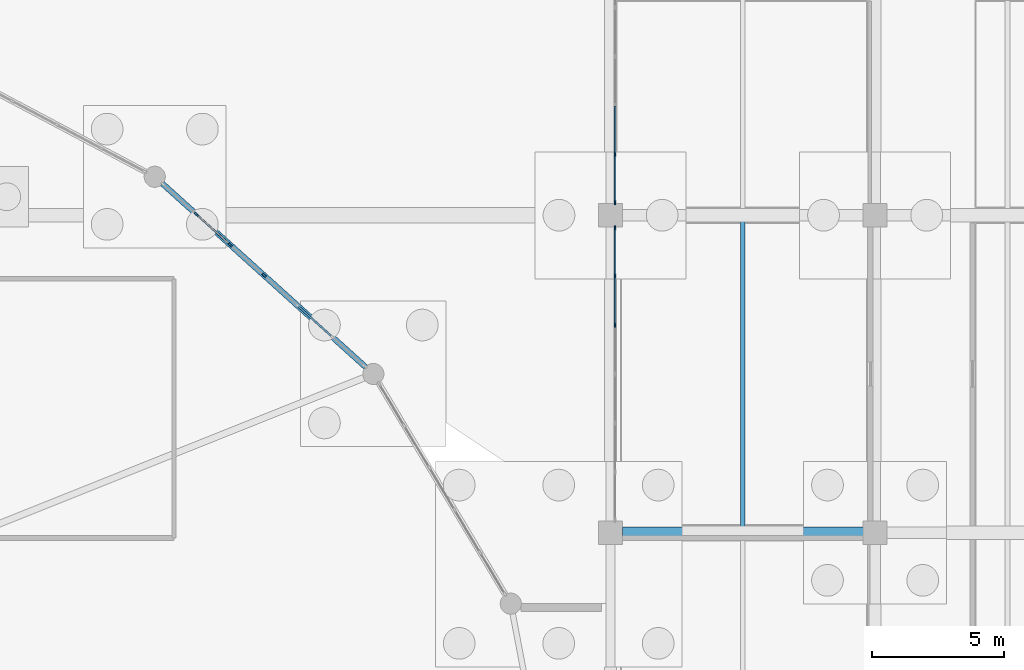
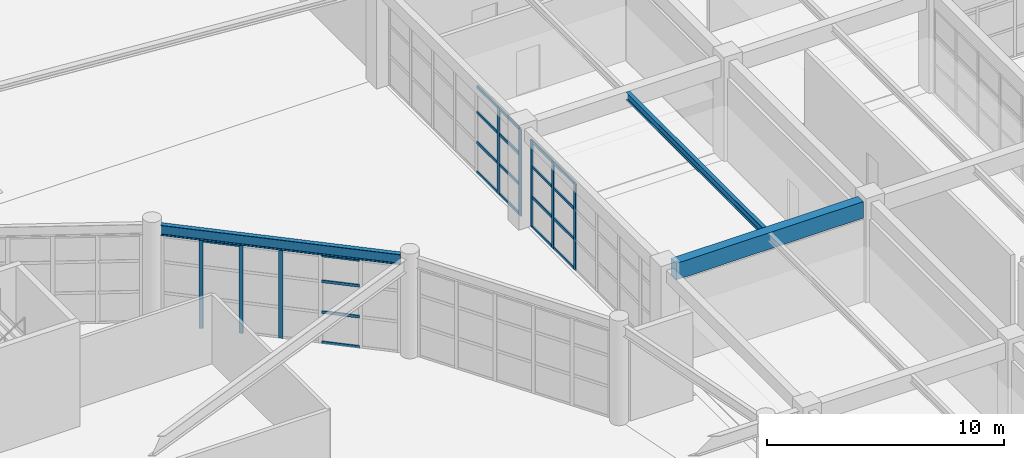
# One storey, part 50 of 99: 29 members, 3 beams, 3 elements without a shape of their own.
"""IFC4 building model written with IfcOpenShell, lengths in metres."""

import ifcopenshell
import ifcopenshell.guid

model = None  # the IFC model being written
_history = None  # IfcOwnerHistory: only IFC2X3 demands one
_inside = {}  # id of a spatial element -> (the spatial element, [elements in it])
_under = {}  # id of a project, library or spatial element -> (it, [spatial elements below it])
_declared = {}  # id of a project -> (the project, [libraries it declares])
_typed = {}  # id of a type object -> (the type object, [elements of that type])
_made_of = {}  # id of a material, layer set ... -> (it, [elements and type objects made of it])


def new_model(schema):
    """Start an empty IFC model of exactly this schema.

    Asked for "IFC4X3", IfcOpenShell would pick the latest addendum, in which some entities
    have other attributes; the version numbers below select the first issue.
    IFC2X3 requires an IfcOwnerHistory on every rooted entity: one is made here for all.
    """
    global model, _history
    if schema == "IFC4X3":
        model = ifcopenshell.file(schema_version=(4, 3, 0, 0))
    else:
        model = ifcopenshell.file(schema=schema)
    _inside.clear()
    _under.clear()
    _declared.clear()
    _typed.clear()
    _made_of.clear()
    _history = None
    if model.schema == "IFC2X3":
        org = make("IfcOrganization", Name="unknown")
        user = make(
            "IfcPersonAndOrganization",
            ThePerson=make("IfcPerson", FamilyName="unknown"),
            TheOrganization=org,
        )
        app = make(
            "IfcApplication",
            ApplicationDeveloper=org,
            Version="unknown",
            ApplicationFullName="unknown",
            ApplicationIdentifier="unknown",
        )
        _history = make(
            "IfcOwnerHistory",
            OwningUser=user,
            OwningApplication=app,
            ChangeAction="ADDED",
            CreationDate=0,
        )
    return model


def make(cls, **values):
    """One entity of the class cls with the attributes given. An attribute that is None is left unset."""
    return model.create_entity(
        cls, **{name: value for name, value in values.items() if value is not None}
    )


def rooted(cls, **values):
    """An entity with a GlobalId (a new one), such as an element, a storey or a relation."""
    return make(cls, GlobalId=ifcopenshell.guid.new(), OwnerHistory=_history, **values)


def si_unit(unit_type, name, prefix=None):
    """IfcSIUnit, for example si_unit("LENGTHUNIT", "METRE", prefix="MILLI")."""
    return make("IfcSIUnit", UnitType=unit_type, Prefix=prefix, Name=name)


def assignment(units):
    """IfcUnitAssignment: the units of a project."""
    return None if units is None else make("IfcUnitAssignment", Units=units)


def point(xyz):
    """IfcCartesianPoint."""
    return None if xyz is None else make("IfcCartesianPoint", Coordinates=xyz)


def direction(xyz):
    """IfcDirection."""
    return None if xyz is None else make("IfcDirection", DirectionRatios=xyz)


def frame(location, z_axis=None, x_axis=None):
    """IfcAxis2Placement3D, a coordinate frame: its origin and axes. An axis left out is left unset."""
    return make(
        "IfcAxis2Placement3D",
        Location=point(location),
        Axis=direction(z_axis),
        RefDirection=direction(x_axis),
    )


def frame_2d(location, x_axis=None):
    """IfcAxis2Placement2D, a coordinate frame in the plane: its origin and x axis."""
    return make(
        "IfcAxis2Placement2D", Location=point(location), RefDirection=direction(x_axis)
    )


def origin():
    """The frame at (0, 0, 0) with its axes left unset."""
    return frame((0.0, 0.0, 0.0))


def origin_2d():
    """The frame at (0, 0) in the plane with its x axis left unset."""
    return frame_2d((0.0, 0.0))


def place(relative_to, where):
    """IfcLocalPlacement: puts the frame where relative to a parent placement (None: the world)."""
    return make(
        "IfcLocalPlacement", PlacementRelTo=relative_to, RelativePlacement=where
    )


def context(
    kind, dimensions, precision=None, world=None, true_north=None, identifier=None
):
    """IfcGeometricRepresentationContext, for example the 3D "Model" context."""
    return make(
        "IfcGeometricRepresentationContext",
        ContextIdentifier=identifier,
        ContextType=kind,
        CoordinateSpaceDimension=dimensions,
        Precision=precision,
        WorldCoordinateSystem=world,
        TrueNorth=true_north,
    )


def subcontext(parent, identifier, kind, view, scale=None):
    """IfcGeometricRepresentationSubContext, for example "Body" below "Model"."""
    return make(
        "IfcGeometricRepresentationSubContext",
        ContextIdentifier=identifier,
        ContextType=kind,
        ParentContext=parent,
        TargetScale=scale,
        TargetView=view,
    )


def project(units=None, contexts=None):
    """IfcProject with its units and contexts."""
    return rooted(
        "IfcProject",
        Name="project",
        RepresentationContexts=contexts,
        UnitsInContext=assignment(units),
    )


def spatial(cls, under=None, at=None, **own):
    """A site, building, storey or space (cls), placed at a placement, below another one or the project."""
    s = rooted(cls, ObjectPlacement=at, **own)
    if under is not None:
        _under.setdefault(under.id(), (under, []))[1].append(s)
    return s


def profile(cls, at=None, kind="AREA", **sizes):
    """A parametric profile (cls). Its sizes go by their IFC names, for example OverallWidth=200.0."""
    return make(cls, ProfileType=kind, Position=at, **sizes)


def rectangle(**sizes):
    """IfcRectangleProfileDef."""
    return profile("IfcRectangleProfileDef", **sizes)


def i_section(**sizes):
    """IfcIShapeProfileDef."""
    return profile("IfcIShapeProfileDef", **sizes)


def extrude(swept, where, along, depth):
    """IfcExtrudedAreaSolid: the profile swept, set in the frame where, extruded along a direction by depth."""
    return make(
        "IfcExtrudedAreaSolid",
        SweptArea=swept,
        Position=where,
        ExtrudedDirection=direction(along),
        Depth=depth,
    )


def shape(context_of_items, identifier, shape_type, items):
    """IfcShapeRepresentation: the items that make up one representation, for example the "Body"."""
    return make(
        "IfcShapeRepresentation",
        ContextOfItems=context_of_items,
        RepresentationIdentifier=identifier,
        RepresentationType=shape_type,
        Items=items,
    )


def material(Name=None, Category=None):
    """IfcMaterial."""
    return make("IfcMaterial", Name=Name, Category=Category)


def layer(
    of_material, thickness, ventilated=None, Name=None, Category=None, Priority=None
):
    """IfcMaterialLayer: one layer of a wall or slab, of a material (None: an air gap)."""
    return make(
        "IfcMaterialLayer",
        Material=of_material,
        LayerThickness=thickness,
        IsVentilated=ventilated,
        Name=Name,
        Category=Category,
        Priority=Priority,
    )


def layer_set(layers, Name=None):
    """IfcMaterialLayerSet."""
    return make("IfcMaterialLayerSet", MaterialLayers=layers, LayerSetName=Name)


def material_profile(
    of_material, cross_section, Name=None, Category=None, Priority=None
):
    """IfcMaterialProfile: a cross section and its material."""
    return make(
        "IfcMaterialProfile",
        Name=Name,
        Material=of_material,
        Profile=cross_section,
        Priority=Priority,
        Category=Category,
    )


def profile_set(profiles, Name=None, composite=None):
    """IfcMaterialProfileSet."""
    return make(
        "IfcMaterialProfileSet",
        Name=Name,
        MaterialProfiles=profiles,
        CompositeProfile=composite,
    )


def made_of(thing, what):
    """Note that an element or type object is made of a material, layer set ...; save() writes the relation."""
    if what is not None:
        _made_of.setdefault(what.id(), (what, []))[1].append(thing)
    return thing


def type_object(cls, material=None, **own):
    """A type object (cls), such as IfcWallType, which elements share."""
    return made_of(rooted(cls, **own), material)


def element(
    cls,
    number,
    at=None,
    inside=None,
    cuts=None,
    type_object=None,
    material=None,
    context=None,
    identifier="Body",
    shape_type=None,
    held_by="IfcProductDefinitionShape",
    body=None,
    shapes=None,
    **own,
):
    """One element of the class cls, such as IfcWall. Its Tag is "e" and its number.

    at: its placement. inside: the storey or other place that contains it. cuts: it is an
    opening in that element (IfcRelVoidsElement). A single representation is given by context,
    identifier, shape_type and body (its items); several are given by shapes. held_by: the class
    of the entity that holds the representations. save() writes the other relations.
    """
    e = rooted(cls, Tag="e%d" % number, ObjectPlacement=at, **own)
    if body is not None:
        shapes = [shape(context, identifier, shape_type, body)]
    if shapes is not None:
        e.Representation = make(held_by, Representations=shapes)
    if inside is not None:
        _inside.setdefault(inside.id(), (inside, []))[1].append(e)
    if cuts is not None:
        rooted(
            "IfcRelVoidsElement", RelatingBuildingElement=cuts, RelatedOpeningElement=e
        )
    if type_object is not None:
        _typed.setdefault(type_object.id(), (type_object, []))[1].append(e)
    return made_of(e, material)


def aggregate(whole, parts):
    """IfcRelAggregates: a whole, such as a stair, and the parts it consists of."""
    return rooted("IfcRelAggregates", RelatingObject=whole, RelatedObjects=parts)


def save(model, path):
    """Write the relations noted so far, then the file.

    IfcRelAggregates (storeys below a building ...), IfcRelContainedInSpatialStructure (elements
    in a storey), IfcRelDefinesByType, IfcRelAssociatesMaterial and IfcRelDeclares: one each for
    every whole, place, type object, material and project.
    """
    for whole, parts in _under.values():
        aggregate(whole, parts)
    for where, things in _inside.values():
        rooted(
            "IfcRelContainedInSpatialStructure",
            RelatedElements=things,
            RelatingStructure=where,
        )
    for kind, things in _typed.values():
        rooted("IfcRelDefinesByType", RelatedObjects=things, RelatingType=kind)
    for what, things in _made_of.values():
        rooted("IfcRelAssociatesMaterial", RelatedObjects=things, RelatingMaterial=what)
    for by, libraries in _declared.values():
        rooted("IfcRelDeclares", RelatingContext=by, RelatedDefinitions=libraries)
    model.write(path)


model = new_model("IFC4")

# Units and contexts
model_context = context("Model", 3, precision=1e-05, world=origin(), true_north=direction((0.0, 1.0)))
body_context = subcontext(model_context, "Body", "Model", "MODEL_VIEW")
ifc_project = project(units=[si_unit("LENGTHUNIT", "METRE"), si_unit("AREAUNIT", "SQUARE_METRE"), si_unit("VOLUMEUNIT", "CUBIC_METRE"), si_unit("PLANEANGLEUNIT", "RADIAN"), si_unit("MASSUNIT", "GRAM", prefix="KILO")], contexts=[model_context])

# Site, building, storey
site_placement = place(None, origin())
site = spatial("IfcSite", under=ifc_project, at=site_placement, CompositionType="ELEMENT")
building_placement = place(site_placement, origin())
building = spatial("IfcBuilding", under=site, at=building_placement, Name="Kivolera Central Railway Station", CompositionType="ELEMENT")
storey_placement = place(building_placement, origin())
storey = spatial("IfcBuildingStorey", under=building, at=storey_placement, Name="L00", CompositionType="ELEMENT", Elevation=0.0)

# Beams
ifc_material_1 = material(Name="Steel S355", Category="steel")
ifc_material_profile_1 = material_profile(ifc_material_1, i_section(OverallWidth=0.179931640625, OverallDepth=0.39990234375, WebThickness=0.008544921875, FlangeThickness=0.013427734375, FilletRadius=0.02099609375, at=origin_2d()), Name="IPE 400")
ifc_profile_set_1 = profile_set([ifc_material_profile_1], Name="Steel S355")
beam_type_1 = type_object("IfcBeamType", Name="BM-JST-IPE400", PredefinedType="JOIST", material=ifc_profile_set_1)
beam_1_placement = place(storey_placement, frame((123.0, 102.217041015625, 4.907958984375), z_axis=(0.0, 1.0, 0.0), x_axis=(-1.0, 0.0, 0.0)))
element("IfcBeam", 1, at=beam_1_placement, inside=storey, type_object=beam_type_1, Name="L00 Floor Joist 12-13/J-K", PredefinedType="JOIST", context=body_context, shape_type="SweptSolid", body=[
    extrude(i_section(OverallWidth=0.179931640625, OverallDepth=0.39990234375, WebThickness=0.008544921875, FlangeThickness=0.013427734375, FilletRadius=0.02099609375, at=origin_2d()), origin(), (0.0, 0.0, 1.0), 11.56591796875),
])
ifc_material_2 = material(Name="Concrete C40/50", Category="concrete")
ifc_material_profile_2 = material_profile(ifc_material_2, rectangle(XDim=0.449951171875, YDim=0.85009765625, at=origin_2d()), Name="RC 450x850")
ifc_profile_set_2 = profile_set([ifc_material_profile_2], Name="Concrete C40/50")
beam_type_2 = type_object("IfcBeamType", Name="BM-RC-450x850", PredefinedType="BEAM", material=ifc_profile_set_2)
beam_2_placement = place(storey_placement, frame((118.44189453125, 102.0, 4.695068359375), z_axis=(1.0, 0.0, 0.0), x_axis=(0.0, 1.0, 0.0)))
element("IfcBeam", 2, at=beam_2_placement, inside=storey, type_object=beam_type_2, Name="L00 Wing X-Beam J:12-13", PredefinedType="BEAM", context=body_context, shape_type="SweptSolid", body=[
    extrude(rectangle(XDim=0.449951171875, YDim=0.85009765625, at=origin_2d()), origin(), (0.0, 0.0, 1.0), 9.1162109375),
])
ifc_material_profile_3 = material_profile(ifc_material_1, i_section(OverallWidth=0.209228515625, OverallDepth=0.533203125, WebThickness=0.010009765625, FlangeThickness=0.015625, FilletRadius=0.0126953125, at=origin_2d()), Name="UB 533x210x92")
ifc_profile_set_3 = profile_set([ifc_material_profile_3], Name="Steel S355")
beam_type_3 = type_object("IfcBeamType", Name="BM-SHD-UB533", PredefinedType="BEAM", material=ifc_profile_set_3)
beam_3_placement = place(storey_placement, frame((108.742919921875, 108.260986328125, 4.841064453125), z_axis=(-0.742356199881, 0.670005427215, 0.0), x_axis=(-0.670005427215, -0.742356199881, 0.0)))
element("IfcBeam", 3, at=beam_3_placement, inside=storey, type_object=beam_type_3, Name="L00 Oval Perimeter Ring Beam 03", PredefinedType="BEAM", context=body_context, shape_type="SweptSolid", body=[
    extrude(i_section(OverallWidth=0.209228515625, OverallDepth=0.533203125, WebThickness=0.010009765625, FlangeThickness=0.015625, FilletRadius=0.0126953125, at=origin_2d()), origin(), (0.0, 0.0, 1.0), 10.349365234375),
])

# Curtain wall, members
ifc_material_3 = material(Name="Anodised aluminium", Category="aluminium")
ifc_layer_1 = layer(ifc_material_3, 0.179931640625, Name="Anodised aluminium")
ifc_layer_set_1 = layer_set([ifc_layer_1], Name="Anodised aluminium")
curtain_wall_type_1 = type_object("IfcCurtainWallType", Name="CW-SYS-04", PredefinedType="NOTDEFINED", material=ifc_layer_set_1)
curtain_wall_1_placement = place(storey_placement, origin())
curtain_wall_1 = element("IfcCurtainWall", 4, at=curtain_wall_1_placement, inside=storey, type_object=curtain_wall_type_1, Name="L00 Curtain Wall CW-L00-OVL-02", PredefinedType="NOTDEFINED")
ifc_material_profile_4 = material_profile(ifc_material_3, rectangle(XDim=0.070068359375, YDim=0.179931640625, at=origin_2d()), Name="ALU MULL 70x180")
ifc_profile_set_4 = profile_set([ifc_material_profile_4], Name="Anodised aluminium")
member_type_1 = type_object("IfcMemberType", Name="CWM-MUL-1", PredefinedType="MULLION", material=ifc_profile_set_4)
member_1_placement = place(storey_placement, frame((102.34521484375, 114.03466796875, -0.0048828125), z_axis=(0.0, 0.0, 1.0), x_axis=(0.66992157428, 0.742431871833, 0.0)))
member_1 = element("IfcMember", 5, at=member_1_placement, type_object=member_type_1, Name="CW-04 mullion 2", PredefinedType="MULLION", context=body_context, shape_type="SweptSolid", body=[
    extrude(rectangle(XDim=0.070068359375, YDim=0.179931640625, at=origin_2d()), origin(), (0.0, 0.0, 1.0), 4.554931640625),
])
member_2_placement = place(storey_placement, frame((103.623291015625, 112.88134765625, -0.0048828125), z_axis=(0.0, 0.0, 1.0), x_axis=(0.66992157428, 0.742431871833, 0.0)))
member_2 = element("IfcMember", 6, at=member_2_placement, type_object=member_type_1, Name="CW-04 mullion 3", PredefinedType="MULLION", context=body_context, shape_type="SweptSolid", body=[
    extrude(rectangle(XDim=0.070068359375, YDim=0.179931640625, at=origin_2d()), origin(), (0.0, 0.0, 1.0), 4.554931640625),
])
member_3_placement = place(storey_placement, frame((104.901611328125, 111.72802734375, -0.0048828125), z_axis=(0.0, 0.0, 1.0), x_axis=(0.66992157428, 0.742431871833, 0.0)))
member_3 = element("IfcMember", 7, at=member_3_placement, type_object=member_type_1, Name="CW-04 mullion 4", PredefinedType="MULLION", context=body_context, shape_type="SweptSolid", body=[
    extrude(rectangle(XDim=0.070068359375, YDim=0.179931640625, at=origin_2d()), origin(), (0.0, 0.0, 1.0), 4.554931640625),
])

ifc_layer_2 = layer(ifc_material_3, 0.179931640625, Name="Anodised aluminium")
ifc_layer_set_2 = layer_set([ifc_layer_2], Name="Anodised aluminium")
curtain_wall_type_2 = type_object("IfcCurtainWallType", Name="CW-SYS-23", PredefinedType="NOTDEFINED", material=ifc_layer_set_2)
curtain_wall_2_placement = place(storey_placement, origin())
curtain_wall_2 = element("IfcCurtainWall", 8, at=curtain_wall_2_placement, inside=storey, type_object=curtain_wall_type_2, Name="L00 Curtain Wall CW-L00-WEST-J", PredefinedType="NOTDEFINED")
member_4_placement = place(storey_placement, frame((118.169921875, 109.8515625, -0.0048828125), z_axis=(0.0, 0.0, 1.0), x_axis=(-1.0, 0.0, 0.0)))
member_4 = element("IfcMember", 9, at=member_4_placement, type_object=member_type_1, Name="CW-23 mullion 5", PredefinedType="MULLION", context=body_context, shape_type="SweptSolid", body=[
    extrude(rectangle(XDim=0.070068359375, YDim=0.179931640625, at=origin_2d()), origin(), (0.0, 0.0, 1.0), 4.462890625),
])
member_5_placement = place(storey_placement, frame((118.169921875, 111.703369140625, -0.0048828125), z_axis=(0.0, 0.0, 1.0), x_axis=(-1.0, 0.0, 0.0)))
member_5 = element("IfcMember", 10, at=member_5_placement, type_object=member_type_1, Name="CW-23 mullion 6", PredefinedType="MULLION", context=body_context, shape_type="SweptSolid", body=[
    extrude(rectangle(XDim=0.070068359375, YDim=0.179931640625, at=origin_2d()), origin(), (0.0, 0.0, 1.0), 4.462890625),
])
member_6_placement = place(storey_placement, frame((118.169921875, 113.52001953125, -0.0048828125), z_axis=(0.0, 0.0, 1.0), x_axis=(-1.0, 0.0, 0.0)))
member_6 = element("IfcMember", 11, at=member_6_placement, type_object=member_type_1, Name="CW-23 mullion 7", PredefinedType="MULLION", context=body_context, shape_type="SweptSolid", body=[
    extrude(rectangle(XDim=0.070068359375, YDim=0.179931640625, at=origin_2d()), origin(), (0.0, 0.0, 1.0), 4.462890625),
])

curtain_wall_3_placement = place(storey_placement, origin())
curtain_wall_3 = element("IfcCurtainWall", 12, at=curtain_wall_3_placement, inside=storey, type_object=curtain_wall_type_2, Name="L00 Curtain Wall CW-L00-WEST-K", PredefinedType="NOTDEFINED")
member_7_placement = place(storey_placement, frame((118.169921875, 114.47998046875, -0.0048828125), z_axis=(0.0, 0.0, 1.0), x_axis=(-1.0, 0.0, 0.0)))
member_7 = element("IfcMember", 13, at=member_7_placement, type_object=member_type_1, Name="CW-23 mullion 1", PredefinedType="MULLION", context=body_context, shape_type="SweptSolid", body=[
    extrude(rectangle(XDim=0.070068359375, YDim=0.179931640625, at=origin_2d()), origin(), (0.0, 0.0, 1.0), 4.462890625),
])
member_8_placement = place(storey_placement, frame((118.169921875, 116.296630859375, -0.0048828125), z_axis=(0.0, 0.0, 1.0), x_axis=(-1.0, 0.0, 0.0)))
member_8 = element("IfcMember", 14, at=member_8_placement, type_object=member_type_1, Name="CW-23 mullion 2", PredefinedType="MULLION", context=body_context, shape_type="SweptSolid", body=[
    extrude(rectangle(XDim=0.070068359375, YDim=0.179931640625, at=origin_2d()), origin(), (0.0, 0.0, 1.0), 4.462890625),
])

# Member
ifc_material_profile_5 = material_profile(ifc_material_3, rectangle(XDim=0.070068359375, YDim=0.139892578125, at=origin_2d()), Name="ALU TRAN 70x140")
ifc_profile_set_5 = profile_set([ifc_material_profile_5], Name="Anodised aluminium")
member_type_2 = type_object("IfcMemberType", Name="CWM-TRN-1", PredefinedType="USERDEFINED", material=ifc_profile_set_5)
member_9_placement = place(storey_placement, frame((102.37109375, 114.01123046875, 4.514892578125), z_axis=(0.74246304586, -0.669887024455, 0.0), x_axis=(0.669887024455, 0.74246304586, 0.0)))
member_9 = element("IfcMember", 15, at=member_9_placement, type_object=member_type_2, Name="CW-04 transom 2.4", ObjectType="TRANSOM", PredefinedType="USERDEFINED", context=body_context, shape_type="SweptSolid", body=[
    extrude(rectangle(XDim=0.070068359375, YDim=0.139892578125, at=origin_2d()), origin(), (0.0, 0.0, 1.0), 1.651611328125),
])

member_10_placement = place(storey_placement, frame((106.20556640625, 110.55126953125, 0.034912109375), z_axis=(0.74246304586, -0.669887024455, 0.0), x_axis=(0.669887024455, 0.74246304586, 0.0)))
member_10 = element("IfcMember", 16, at=member_10_placement, type_object=member_type_2, Name="CW-04 transom 5.1", ObjectType="TRANSOM", PredefinedType="USERDEFINED", context=body_context, shape_type="SweptSolid", body=[
    extrude(rectangle(XDim=0.070068359375, YDim=0.139892578125, at=origin_2d()), origin(), (0.0, 0.0, 1.0), 1.651611328125),
])

member_11_placement = place(storey_placement, frame((106.20556640625, 110.55126953125, 1.592529296875), z_axis=(0.74246304586, -0.669887024455, 0.0), x_axis=(0.669887024455, 0.74246304586, 0.0)))
member_11 = element("IfcMember", 17, at=member_11_placement, type_object=member_type_2, Name="CW-04 transom 5.2", ObjectType="TRANSOM", PredefinedType="USERDEFINED", context=body_context, shape_type="SweptSolid", body=[
    extrude(rectangle(XDim=0.070068359375, YDim=0.139892578125, at=origin_2d()), origin(), (0.0, 0.0, 1.0), 1.651611328125),
])

member_12_placement = place(storey_placement, frame((106.20556640625, 110.55126953125, 3.18505859375), z_axis=(0.74246304586, -0.669887024455, 0.0), x_axis=(0.669887024455, 0.74246304586, 0.0)))
member_12 = element("IfcMember", 18, at=member_12_placement, type_object=member_type_2, Name="CW-04 transom 5.3", ObjectType="TRANSOM", PredefinedType="USERDEFINED", context=body_context, shape_type="SweptSolid", body=[
    extrude(rectangle(XDim=0.070068359375, YDim=0.139892578125, at=origin_2d()), origin(), (0.0, 0.0, 1.0), 1.651611328125),
])

member_13_placement = place(storey_placement, frame((106.20556640625, 110.55126953125, 4.514892578125), z_axis=(0.74246304586, -0.669887024455, 0.0), x_axis=(0.669887024455, 0.74246304586, 0.0)))
member_13 = element("IfcMember", 19, at=member_13_placement, type_object=member_type_2, Name="CW-04 transom 5.4", ObjectType="TRANSOM", PredefinedType="USERDEFINED", context=body_context, shape_type="SweptSolid", body=[
    extrude(rectangle(XDim=0.070068359375, YDim=0.139892578125, at=origin_2d()), origin(), (0.0, 0.0, 1.0), 1.651611328125),
])

aggregate(curtain_wall_1, [member_1, member_2, member_3, member_9, member_10, member_11, member_12, member_13])

member_14_placement = place(storey_placement, frame((118.169921875, 109.88671875, 0.034912109375), z_axis=(0.0, 1.0, 0.0), x_axis=(-1.0, 0.0, 0.0)))
member_14 = element("IfcMember", 20, at=member_14_placement, type_object=member_type_2, Name="CW-23 transom 5.1", ObjectType="TRANSOM", PredefinedType="USERDEFINED", context=body_context, shape_type="SweptSolid", body=[
    extrude(rectangle(XDim=0.070068359375, YDim=0.139892578125, at=origin_2d()), origin(), (0.0, 0.0, 1.0), 1.781494140625),
])

member_15_placement = place(storey_placement, frame((118.169921875, 109.88671875, 1.560302734375), z_axis=(0.0, 1.0, 0.0), x_axis=(-1.0, 0.0, 0.0)))
member_15 = element("IfcMember", 21, at=member_15_placement, type_object=member_type_2, Name="CW-23 transom 5.2", ObjectType="TRANSOM", PredefinedType="USERDEFINED", context=body_context, shape_type="SweptSolid", body=[
    extrude(rectangle(XDim=0.070068359375, YDim=0.139892578125, at=origin_2d()), origin(), (0.0, 0.0, 1.0), 1.781494140625),
])

member_16_placement = place(storey_placement, frame((118.169921875, 109.88671875, 3.12060546875), z_axis=(0.0, 1.0, 0.0), x_axis=(-1.0, 0.0, 0.0)))
member_16 = element("IfcMember", 22, at=member_16_placement, type_object=member_type_2, Name="CW-23 transom 5.3", ObjectType="TRANSOM", PredefinedType="USERDEFINED", context=body_context, shape_type="SweptSolid", body=[
    extrude(rectangle(XDim=0.070068359375, YDim=0.139892578125, at=origin_2d()), origin(), (0.0, 0.0, 1.0), 1.781494140625),
])

member_17_placement = place(storey_placement, frame((118.169921875, 109.88671875, 4.423095703125), z_axis=(0.0, 1.0, 0.0), x_axis=(-1.0, 0.0, 0.0)))
member_17 = element("IfcMember", 23, at=member_17_placement, type_object=member_type_2, Name="CW-23 transom 5.4", ObjectType="TRANSOM", PredefinedType="USERDEFINED", context=body_context, shape_type="SweptSolid", body=[
    extrude(rectangle(XDim=0.070068359375, YDim=0.139892578125, at=origin_2d()), origin(), (0.0, 0.0, 1.0), 1.781494140625),
])

member_18_placement = place(storey_placement, frame((118.169921875, 111.73828125, 0.034912109375), z_axis=(0.0, 1.0, 0.0), x_axis=(-1.0, 0.0, 0.0)))
member_18 = element("IfcMember", 24, at=member_18_placement, type_object=member_type_2, Name="CW-23 transom 6.1", ObjectType="TRANSOM", PredefinedType="USERDEFINED", context=body_context, shape_type="SweptSolid", body=[
    extrude(rectangle(XDim=0.070068359375, YDim=0.139892578125, at=origin_2d()), origin(), (0.0, 0.0, 1.0), 1.746826171875),
])

member_19_placement = place(storey_placement, frame((118.169921875, 111.73828125, 1.560302734375), z_axis=(0.0, 1.0, 0.0), x_axis=(-1.0, 0.0, 0.0)))
member_19 = element("IfcMember", 25, at=member_19_placement, type_object=member_type_2, Name="CW-23 transom 6.2", ObjectType="TRANSOM", PredefinedType="USERDEFINED", context=body_context, shape_type="SweptSolid", body=[
    extrude(rectangle(XDim=0.070068359375, YDim=0.139892578125, at=origin_2d()), origin(), (0.0, 0.0, 1.0), 1.746826171875),
])

member_20_placement = place(storey_placement, frame((118.169921875, 111.73828125, 3.12060546875), z_axis=(0.0, 1.0, 0.0), x_axis=(-1.0, 0.0, 0.0)))
member_20 = element("IfcMember", 26, at=member_20_placement, type_object=member_type_2, Name="CW-23 transom 6.3", ObjectType="TRANSOM", PredefinedType="USERDEFINED", context=body_context, shape_type="SweptSolid", body=[
    extrude(rectangle(XDim=0.070068359375, YDim=0.139892578125, at=origin_2d()), origin(), (0.0, 0.0, 1.0), 1.746826171875),
])

member_21_placement = place(storey_placement, frame((118.169921875, 111.73828125, 4.423095703125), z_axis=(0.0, 1.0, 0.0), x_axis=(-1.0, 0.0, 0.0)))
member_21 = element("IfcMember", 27, at=member_21_placement, type_object=member_type_2, Name="CW-23 transom 6.4", ObjectType="TRANSOM", PredefinedType="USERDEFINED", context=body_context, shape_type="SweptSolid", body=[
    extrude(rectangle(XDim=0.070068359375, YDim=0.139892578125, at=origin_2d()), origin(), (0.0, 0.0, 1.0), 1.746826171875),
])

aggregate(curtain_wall_2, [member_4, member_5, member_6, member_14, member_15, member_16, member_17, member_18, member_19, member_20, member_21])

member_22_placement = place(storey_placement, frame((118.169921875, 114.514892578125, 0.034912109375), z_axis=(0.0, 1.0, 0.0), x_axis=(-1.0, 0.0, 0.0)))
member_22 = element("IfcMember", 28, at=member_22_placement, type_object=member_type_2, Name="CW-23 transom 1.1", ObjectType="TRANSOM", PredefinedType="USERDEFINED", context=body_context, shape_type="SweptSolid", body=[
    extrude(rectangle(XDim=0.070068359375, YDim=0.139892578125, at=origin_2d()), origin(), (0.0, 0.0, 1.0), 1.746826171875),
])

member_23_placement = place(storey_placement, frame((118.169921875, 114.514892578125, 1.560302734375), z_axis=(0.0, 1.0, 0.0), x_axis=(-1.0, 0.0, 0.0)))
member_23 = element("IfcMember", 29, at=member_23_placement, type_object=member_type_2, Name="CW-23 transom 1.2", ObjectType="TRANSOM", PredefinedType="USERDEFINED", context=body_context, shape_type="SweptSolid", body=[
    extrude(rectangle(XDim=0.070068359375, YDim=0.139892578125, at=origin_2d()), origin(), (0.0, 0.0, 1.0), 1.746826171875),
])

member_24_placement = place(storey_placement, frame((118.169921875, 114.514892578125, 3.12060546875), z_axis=(0.0, 1.0, 0.0), x_axis=(-1.0, 0.0, 0.0)))
member_24 = element("IfcMember", 30, at=member_24_placement, type_object=member_type_2, Name="CW-23 transom 1.3", ObjectType="TRANSOM", PredefinedType="USERDEFINED", context=body_context, shape_type="SweptSolid", body=[
    extrude(rectangle(XDim=0.070068359375, YDim=0.139892578125, at=origin_2d()), origin(), (0.0, 0.0, 1.0), 1.746826171875),
])

member_25_placement = place(storey_placement, frame((118.169921875, 114.514892578125, 4.423095703125), z_axis=(0.0, 1.0, 0.0), x_axis=(-1.0, 0.0, 0.0)))
member_25 = element("IfcMember", 31, at=member_25_placement, type_object=member_type_2, Name="CW-23 transom 1.4", ObjectType="TRANSOM", PredefinedType="USERDEFINED", context=body_context, shape_type="SweptSolid", body=[
    extrude(rectangle(XDim=0.070068359375, YDim=0.139892578125, at=origin_2d()), origin(), (0.0, 0.0, 1.0), 1.746826171875),
])

member_26_placement = place(storey_placement, frame((118.169921875, 116.331787109375, 0.034912109375), z_axis=(0.0, 1.0, 0.0), x_axis=(-1.0, 0.0, 0.0)))
member_26 = element("IfcMember", 32, at=member_26_placement, type_object=member_type_2, Name="CW-23 transom 2.1", ObjectType="TRANSOM", PredefinedType="USERDEFINED", context=body_context, shape_type="SweptSolid", body=[
    extrude(rectangle(XDim=0.070068359375, YDim=0.139892578125, at=origin_2d()), origin(), (0.0, 0.0, 1.0), 1.781494140625),
])

member_27_placement = place(storey_placement, frame((118.169921875, 116.331787109375, 1.560302734375), z_axis=(0.0, 1.0, 0.0), x_axis=(-1.0, 0.0, 0.0)))
member_27 = element("IfcMember", 33, at=member_27_placement, type_object=member_type_2, Name="CW-23 transom 2.2", ObjectType="TRANSOM", PredefinedType="USERDEFINED", context=body_context, shape_type="SweptSolid", body=[
    extrude(rectangle(XDim=0.070068359375, YDim=0.139892578125, at=origin_2d()), origin(), (0.0, 0.0, 1.0), 1.781494140625),
])

member_28_placement = place(storey_placement, frame((118.169921875, 116.331787109375, 3.12060546875), z_axis=(0.0, 1.0, 0.0), x_axis=(-1.0, 0.0, 0.0)))
member_28 = element("IfcMember", 34, at=member_28_placement, type_object=member_type_2, Name="CW-23 transom 2.3", ObjectType="TRANSOM", PredefinedType="USERDEFINED", context=body_context, shape_type="SweptSolid", body=[
    extrude(rectangle(XDim=0.070068359375, YDim=0.139892578125, at=origin_2d()), origin(), (0.0, 0.0, 1.0), 1.781494140625),
])

member_29_placement = place(storey_placement, frame((118.169921875, 116.331787109375, 4.423095703125), z_axis=(0.0, 1.0, 0.0), x_axis=(-1.0, 0.0, 0.0)))
member_29 = element("IfcMember", 35, at=member_29_placement, type_object=member_type_2, Name="CW-23 transom 2.4", ObjectType="TRANSOM", PredefinedType="USERDEFINED", context=body_context, shape_type="SweptSolid", body=[
    extrude(rectangle(XDim=0.070068359375, YDim=0.139892578125, at=origin_2d()), origin(), (0.0, 0.0, 1.0), 1.781494140625),
])

aggregate(curtain_wall_3, [member_7, member_8, member_22, member_23, member_24, member_25, member_26, member_27, member_28, member_29])

save(model, "model.ifc")
